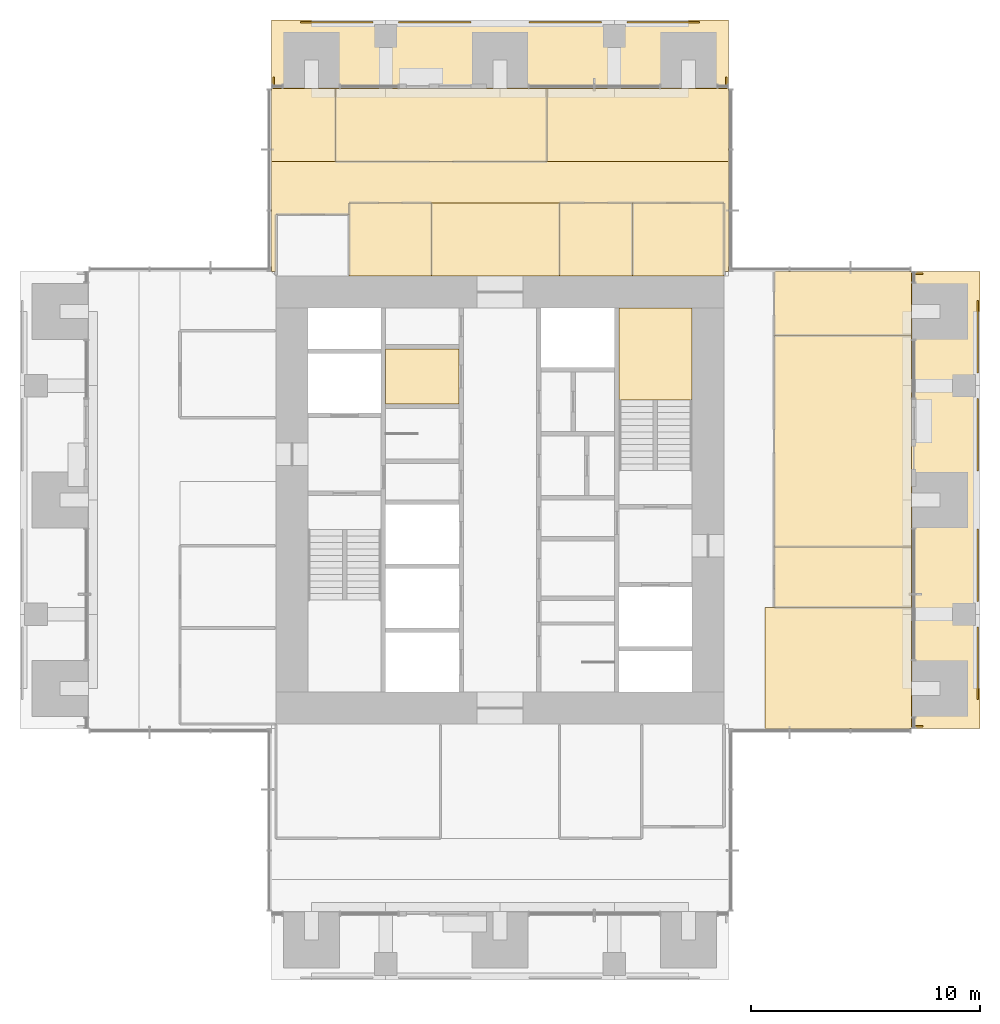
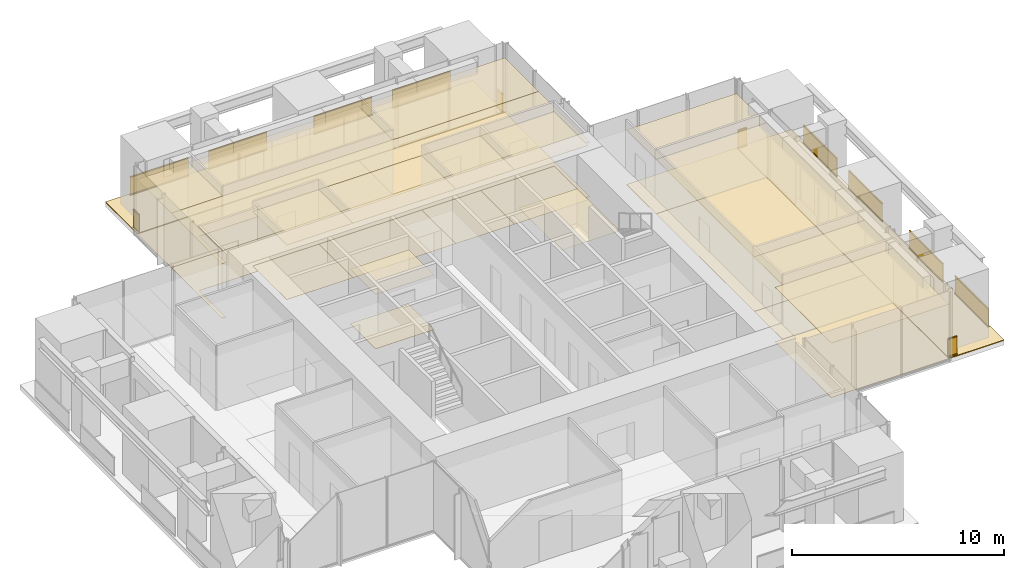
# One storey, part 16 of 17: 29 coverings, 12 railings.
"""IFC4 building model written with IfcOpenShell, lengths in metres."""

from ifc_helpers import new_model, si_unit, direction, frame, origin, origin_2d, place, context, subcontext, project, spatial, polyline, rectangle, outline, extrude, material, layer, layer_set, type_object, element, save


model = new_model("IFC4")

# Units and contexts
model_context = context("Model", 3, precision=1e-05, world=origin(), true_north=direction((0.0, 1.0)))
body_context = subcontext(model_context, "Body", "Model", "MODEL_VIEW")
ifc_project = project(units=[si_unit("LENGTHUNIT", "METRE"), si_unit("AREAUNIT", "SQUARE_METRE"), si_unit("VOLUMEUNIT", "CUBIC_METRE"), si_unit("PLANEANGLEUNIT", "RADIAN"), si_unit("MASSUNIT", "GRAM", prefix="KILO")], contexts=[model_context])

# Site, building, storey
site_placement = place(None, origin())
site = spatial("IfcSite", under=ifc_project, at=site_placement, CompositionType="ELEMENT")
building_placement = place(site_placement, origin())
building = spatial("IfcBuilding", under=site, at=building_placement, Name="Svetlomir Tower", CompositionType="ELEMENT")
storey_placement = place(building_placement, frame((0.0, 0.0, 182.5)))
storey = spatial("IfcBuildingStorey", under=building, at=storey_placement, Name="L43", CompositionType="ELEMENT", Elevation=182.5)

# Railings
ifc_material_1 = material(Name="Bronze anodised aluminium and laminated glass", Category="aluminium")
railing_type = type_object("IfcRailingType", Name="BALCONY GUARD GR1 1100", PredefinedType="GUARDRAIL", material=ifc_material_1)
for number, where, name in (
    (1, (41.89990234375, 12.27490234375, 0.0), "Loggia guard E L43 bay 1"),
    (2, (41.89990234375, 16.550048828125, 0.0), "Loggia guard E L43 bay 2"),
    (3, (41.89990234375, 22.27490234375, 0.0), "Loggia guard E L43 bay 3"),
    (4, (41.89990234375, 26.550048828125, 0.0), "Loggia guard E L43 bay 4"),
):
    element("IfcRailing", number, at=place(storey_placement, frame(where)), inside=storey, type_object=railing_type, Name=name, PredefinedType="GUARDRAIL", context=body_context, shape_type="SweptSolid", body=[
        extrude(rectangle(XDim=0.06005859375, YDim=0.10009765625, at=origin_2d()), frame((0.0, 0.0, 0.050048828125), z_axis=(0.0, 1.0, 0.0), x_axis=(-1.0, 0.0, 0.0)), (0.0, 0.0, 1.0), 3.175048828125),
        extrude(rectangle(XDim=0.021484375, YDim=0.960205078125, at=origin_2d()), frame((0.0, 0.0, 0.580078125), z_axis=(0.0, 1.0, 0.0), x_axis=(-1.0, 0.0, 0.0)), (0.0, 0.0, 1.0), 3.175048828125),
        extrude(rectangle(XDim=0.06005859375, YDim=0.0400390625, at=origin_2d()), frame((0.0, 0.0, 1.080078125), z_axis=(0.0, 1.0, 0.0), x_axis=(-1.0, 0.0, 0.0)), (0.0, 0.0, 1.0), 3.175048828125),
    ])
for number, where, name in (
    (5, (39.5, 11.10009765625, 0.0), "Loggia guard E L43 end 1"),
    (6, (39.5, 30.89990234375, 0.0), "Loggia guard E L43 end 2"),
):
    element("IfcRailing", number, at=place(storey_placement, frame(where)), inside=storey, type_object=railing_type, Name=name, PredefinedType="GUARDRAIL", context=body_context, shape_type="SweptSolid", body=[
        extrude(rectangle(XDim=0.06005859375, YDim=0.10009765625, at=origin_2d()), frame((0.0, 0.0, 0.050048828125), z_axis=(-1.0, 0.0, 0.0), x_axis=(0.0, -1.0, 0.0)), (0.0, 0.0, 1.0), 0.5),
        extrude(rectangle(XDim=0.021484375, YDim=0.960205078125, at=origin_2d()), frame((0.0, 0.0, 0.580078125), z_axis=(-1.0, 0.0, 0.0), x_axis=(0.0, -1.0, 0.0)), (0.0, 0.0, 1.0), 0.5),
        extrude(rectangle(XDim=0.06005859375, YDim=0.0400390625, at=origin_2d()), frame((0.0, 0.0, 1.080078125), z_axis=(-1.0, 0.0, 0.0), x_axis=(0.0, -1.0, 0.0)), (0.0, 0.0, 1.0), 0.5),
    ])
for number, where, name in (
    (7, (12.27490234375, 41.89990234375, 0.0), "Loggia guard N L43 bay 1"),
    (8, (16.550048828125, 41.89990234375, 0.0), "Loggia guard N L43 bay 2"),
    (9, (22.27490234375, 41.89990234375, 0.0), "Loggia guard N L43 bay 3"),
    (10, (26.550048828125, 41.89990234375, 0.0), "Loggia guard N L43 bay 4"),
):
    element("IfcRailing", number, at=place(storey_placement, frame(where)), inside=storey, type_object=railing_type, Name=name, PredefinedType="GUARDRAIL", context=body_context, shape_type="SweptSolid", body=[
        extrude(rectangle(XDim=0.06005859375, YDim=0.10009765625, at=origin_2d()), frame((0.0, 0.0, 0.050048828125), z_axis=(1.0, 0.0, 0.0), x_axis=(0.0, 1.0, 0.0)), (0.0, 0.0, 1.0), 3.175048828125),
        extrude(rectangle(XDim=0.021484375, YDim=0.960205078125, at=origin_2d()), frame((0.0, 0.0, 0.580078125), z_axis=(1.0, 0.0, 0.0), x_axis=(0.0, 1.0, 0.0)), (0.0, 0.0, 1.0), 3.175048828125),
        extrude(rectangle(XDim=0.06005859375, YDim=0.0400390625, at=origin_2d()), frame((0.0, 0.0, 1.080078125), z_axis=(1.0, 0.0, 0.0), x_axis=(0.0, 1.0, 0.0)), (0.0, 0.0, 1.0), 3.175048828125),
    ])
for number, where, name in (
    (11, (11.10009765625, 39.5, 0.0), "Loggia guard N L43 end 1"),
    (12, (30.89990234375, 39.5, 0.0), "Loggia guard N L43 end 2"),
):
    element("IfcRailing", number, at=place(storey_placement, frame(where)), inside=storey, type_object=railing_type, Name=name, PredefinedType="GUARDRAIL", context=body_context, shape_type="SweptSolid", body=[
        extrude(rectangle(XDim=0.06005859375, YDim=0.10009765625, at=origin_2d()), frame((0.0, 0.0, 0.050048828125), z_axis=(0.0, -1.0, 0.0), x_axis=(1.0, 0.0, 0.0)), (0.0, 0.0, 1.0), 0.5),
        extrude(rectangle(XDim=0.021484375, YDim=0.960205078125, at=origin_2d()), frame((0.0, 0.0, 0.580078125), z_axis=(0.0, -1.0, 0.0), x_axis=(1.0, 0.0, 0.0)), (0.0, 0.0, 1.0), 0.5),
        extrude(rectangle(XDim=0.06005859375, YDim=0.0400390625, at=origin_2d()), frame((0.0, 0.0, 1.080078125), z_axis=(0.0, -1.0, 0.0), x_axis=(1.0, 0.0, 0.0)), (0.0, 0.0, 1.0), 0.5),
    ])

# Coverings
ifc_material_2 = material(Name="Granite paving slabs on pedestals", Category="masonry")
ifc_layer_1 = layer(ifc_material_2, 0.0400390625)
ifc_layer_set_1 = layer_set([ifc_layer_1], Name="Granite paving slabs on pedestals")
covering_type_1 = type_object("IfcCoveringType", Name="BALCONY PAVING 40", PredefinedType="USERDEFINED", material=ifc_layer_set_1)
covering_1_placement = place(storey_placement, origin())
element("IfcCovering", 13, at=covering_1_placement, inside=storey, type_object=covering_type_1, Name="Loggia paving E L43", ObjectType="BALCONY PAVING", PredefinedType="USERDEFINED", context=body_context, shape_type="SweptSolid", body=[
    extrude(outline(polyline([(39.0, 11.0), (42.0, 11.0), (42.0, 31.0), (39.0, 31.0), (39.0, 11.0)])), origin(), (0.0, 0.0, 1.0), 0.0400390625),
])
covering_2_placement = place(storey_placement, origin())
element("IfcCovering", 14, at=covering_2_placement, inside=storey, type_object=covering_type_1, Name="Loggia paving N L43", ObjectType="BALCONY PAVING", PredefinedType="USERDEFINED", context=body_context, shape_type="SweptSolid", body=[
    extrude(outline(polyline([(11.0, 39.0), (31.0, 39.0), (31.0, 42.0), (11.0, 42.0), (11.0, 39.0)])), origin(), (0.0, 0.0, 1.0), 0.0400390625),
])
ifc_material_3 = material(Name="Carpet tile", Category="textile")
ifc_layer_2 = layer(ifc_material_3, 0.010009765625)
ifc_layer_set_2 = layer_set([ifc_layer_2], Name="Carpet tile")
covering_type_2 = type_object("IfcCoveringType", Name="CARPET TILE FLOOR 10", PredefinedType="FLOORING", material=ifc_layer_set_2)
covering_3_placement = place(storey_placement, origin())
element("IfcCovering", 15, at=covering_3_placement, inside=storey, type_object=covering_type_2, Name="Floor finish L43-21", PredefinedType="FLOORING", context=body_context, shape_type="SweptSolid", body=[
    extrude(outline(polyline([(33.0, 16.300048828125), (39.0, 16.300048828125), (39.0, 18.949951171875), (33.0, 18.949951171875), (33.0, 16.300048828125)])), origin(), (0.0, 0.0, 1.0), 0.010009765625),
])
covering_4_placement = place(storey_placement, origin())
element("IfcCovering", 16, at=covering_4_placement, inside=storey, type_object=covering_type_2, Name="Floor finish L43-22", PredefinedType="FLOORING", context=body_context, shape_type="SweptSolid", body=[
    extrude(outline(polyline([(33.0, 18.949951171875), (39.0, 18.949951171875), (39.0, 28.199951171875), (33.0, 28.199951171875), (33.0, 18.949951171875)])), origin(), (0.0, 0.0, 1.0), 0.010009765625),
])
covering_5_placement = place(storey_placement, origin())
element("IfcCovering", 17, at=covering_5_placement, inside=storey, type_object=covering_type_2, Name="Floor finish L43-23", PredefinedType="FLOORING", context=body_context, shape_type="SweptSolid", body=[
    extrude(outline(polyline([(33.0, 28.199951171875), (39.0, 28.199951171875), (39.0, 31.0), (33.0, 31.0), (33.0, 28.199951171875)])), origin(), (0.0, 0.0, 1.0), 0.010009765625),
])
covering_6_placement = place(storey_placement, origin())
element("IfcCovering", 18, at=covering_6_placement, inside=storey, type_object=covering_type_2, Name="Floor finish L43-25", PredefinedType="FLOORING", context=body_context, shape_type="SweptSolid", body=[
    extrude(outline(polyline([(14.39990234375, 30.800048828125), (18.0, 30.800048828125), (18.0, 34.0), (14.39990234375, 34.0), (14.39990234375, 30.800048828125)])), origin(), (0.0, 0.0, 1.0), 0.010009765625),
])
covering_7_placement = place(storey_placement, origin())
element("IfcCovering", 19, at=covering_7_placement, inside=storey, type_object=covering_type_2, Name="Floor finish L43-26", PredefinedType="FLOORING", context=body_context, shape_type="SweptSolid", body=[
    extrude(outline(polyline([(23.60009765625, 30.800048828125), (26.800048828125, 30.800048828125), (26.800048828125, 34.0), (23.60009765625, 34.0), (23.60009765625, 30.800048828125)])), origin(), (0.0, 0.0, 1.0), 0.010009765625),
])
covering_8_placement = place(storey_placement, origin())
element("IfcCovering", 20, at=covering_8_placement, inside=storey, type_object=covering_type_2, Name="Floor finish L43-27", PredefinedType="FLOORING", context=body_context, shape_type="SweptSolid", body=[
    extrude(outline(polyline([(26.800048828125, 30.800048828125), (30.800048828125, 30.800048828125), (30.800048828125, 34.0), (26.800048828125, 34.0), (26.800048828125, 30.800048828125)])), origin(), (0.0, 0.0, 1.0), 0.010009765625),
])
covering_9_placement = place(storey_placement, origin())
element("IfcCovering", 21, at=covering_9_placement, inside=storey, type_object=covering_type_2, Name="Floor finish L43-28", PredefinedType="FLOORING", context=body_context, shape_type="SweptSolid", body=[
    extrude(outline(polyline([(13.800048828125, 35.800048828125), (23.050048828125, 35.800048828125), (23.050048828125, 39.0), (13.800048828125, 39.0), (13.800048828125, 35.800048828125)])), origin(), (0.0, 0.0, 1.0), 0.010009765625),
])
covering_10_placement = place(storey_placement, origin())
element("IfcCovering", 22, at=covering_10_placement, inside=storey, type_object=covering_type_2, Name="Floor finish L43-35", PredefinedType="FLOORING", context=body_context, shape_type="SweptSolid", body=[
    extrude(outline(polyline([(30.800048828125, 34.0), (14.39990234375, 34.0), (14.39990234375, 33.5), (11.199951171875, 33.5), (11.199951171875, 31.0), (11.0, 31.0), (11.0, 35.800048828125), (31.0, 35.800048828125), (31.0, 31.0), (30.800048828125, 31.0), (30.800048828125, 34.0)])), origin(), (0.0, 0.0, 1.0), 0.010009765625),
])
covering_11_placement = place(storey_placement, origin())
element("IfcCovering", 23, at=covering_11_placement, inside=storey, type_object=covering_type_2, Name="Floor finish L43-38", PredefinedType="FLOORING", context=body_context, shape_type="SweptSolid", body=[
    extrude(outline(polyline([(32.60009765625, 16.300048828125), (39.0, 16.300048828125), (39.0, 11.0), (32.60009765625, 11.0), (32.60009765625, 16.300048828125)])), origin(), (0.0, 0.0, 1.0), 0.010009765625),
])
covering_12_placement = place(storey_placement, origin())
element("IfcCovering", 24, at=covering_12_placement, inside=storey, type_object=covering_type_2, Name="Floor finish L43-39", PredefinedType="FLOORING", context=body_context, shape_type="SweptSolid", body=[
    extrude(outline(polyline([(18.0, 30.800048828125), (18.0, 34.0), (23.60009765625, 34.0), (23.60009765625, 30.800048828125), (18.0, 30.800048828125)])), origin(), (0.0, 0.0, 1.0), 0.010009765625),
])
covering_13_placement = place(storey_placement, origin())
element("IfcCovering", 25, at=covering_13_placement, inside=storey, type_object=covering_type_2, Name="Floor finish L43-40", PredefinedType="FLOORING", context=body_context, shape_type="SweptSolid", body=[
    extrude(outline(polyline([(13.800048828125, 39.0), (13.800048828125, 35.800048828125), (11.0, 35.800048828125), (11.0, 39.0), (13.800048828125, 39.0)])), origin(), (0.0, 0.0, 1.0), 0.010009765625),
])
covering_14_placement = place(storey_placement, origin())
element("IfcCovering", 26, at=covering_14_placement, inside=storey, type_object=covering_type_2, Name="Floor finish L43-41", PredefinedType="FLOORING", context=body_context, shape_type="SweptSolid", body=[
    extrude(outline(polyline([(31.0, 39.0), (31.0, 35.800048828125), (23.050048828125, 35.800048828125), (23.050048828125, 39.0), (31.0, 39.0)])), origin(), (0.0, 0.0, 1.0), 0.010009765625),
])
ifc_material_4 = material(Name="Ceramic floor tile", Category="ceramic")
ifc_layer_3 = layer(ifc_material_4, 0.014892578125)
ifc_layer_set_3 = layer_set([ifc_layer_3], Name="Ceramic floor tile")
covering_type_3 = type_object("IfcCoveringType", Name="CERAMIC TILE FLOOR 15", PredefinedType="FLOORING", material=ifc_layer_set_3)
covering_15_placement = place(storey_placement, origin())
element("IfcCovering", 27, at=covering_15_placement, inside=storey, type_object=covering_type_3, Name="Floor finish L43-05", PredefinedType="FLOORING", context=body_context, shape_type="SweptSolid", body=[
    extrude(outline(polyline([(16.0, 25.199951171875), (19.199951171875, 25.199951171875), (19.199951171875, 27.60009765625), (16.0, 27.60009765625), (16.0, 25.199951171875)])), origin(), (0.0, 0.0, 1.0), 0.014892578125),
])
ifc_material_5 = material(Name="Moisture resistant plasterboard ceiling", Category="gypsum")
ifc_layer_4 = layer(ifc_material_5, 0.012451171875)
ifc_layer_set_4 = layer_set([ifc_layer_4], Name="Moisture resistant plasterboard ceiling")
covering_type_4 = type_object("IfcCoveringType", Name="MOISTURE RESISTANT CEILING 12.5", PredefinedType="CEILING", material=ifc_layer_set_4)
covering_16_placement = place(storey_placement, frame((0.0, 0.0, 3.137451171875)))
element("IfcCovering", 28, at=covering_16_placement, inside=storey, type_object=covering_type_4, Name="Ceiling L43-05", PredefinedType="CEILING", context=body_context, shape_type="SweptSolid", body=[
    extrude(outline(polyline([(16.0, 25.199951171875), (19.199951171875, 25.199951171875), (19.199951171875, 27.60009765625), (16.0, 27.60009765625), (16.0, 25.199951171875)])), origin(), (0.0, 0.0, 1.0), 0.012451171875),
])
ifc_material_6 = material(Name="Studded rubber floor finish", Category="rubber")
ifc_layer_5 = layer(ifc_material_6, 0.006103515625)
ifc_layer_set_5 = layer_set([ifc_layer_5], Name="Studded rubber floor finish")
covering_type_5 = type_object("IfcCoveringType", Name="RUBBER LANDING FINISH 6", PredefinedType="FLOORING", material=ifc_layer_set_5)
covering_17_placement = place(storey_placement, frame((0.0, 0.0, 2.0)))
element("IfcCovering", 29, at=covering_17_placement, inside=storey, type_object=covering_type_5, Name="Stair S2 landing finish L43", PredefinedType="FLOORING", context=body_context, shape_type="SweptSolid", body=[
    extrude(outline(polyline([(26.199951171875, 25.3798828125), (29.39990234375, 25.3798828125), (29.39990234375, 29.39990234375), (26.199951171875, 29.39990234375), (26.199951171875, 25.3798828125)])), origin(), (0.0, 0.0, 1.0), 0.006103515625),
])
ifc_material_7 = material(Name="Mineral fibre ceiling tile", Category="mineral")
ifc_layer_6 = layer(ifc_material_7, 0.02001953125)
ifc_layer_set_6 = layer_set([ifc_layer_6], Name="Mineral fibre ceiling tile")
covering_type_6 = type_object("IfcCoveringType", Name="SUSPENDED CEILING 20", PredefinedType="CEILING", material=ifc_layer_set_6)
covering_18_placement = place(storey_placement, frame((0.0, 0.0, 3.1298828125)))
element("IfcCovering", 30, at=covering_18_placement, inside=storey, type_object=covering_type_6, Name="Ceiling L43-21", PredefinedType="CEILING", context=body_context, shape_type="SweptSolid", body=[
    extrude(outline(polyline([(33.0, 16.300048828125), (39.0, 16.300048828125), (39.0, 18.949951171875), (33.0, 18.949951171875), (33.0, 16.300048828125)])), origin(), (0.0, 0.0, 1.0), 0.02001953125),
])
covering_19_placement = place(storey_placement, frame((0.0, 0.0, 3.1298828125)))
element("IfcCovering", 31, at=covering_19_placement, inside=storey, type_object=covering_type_6, Name="Ceiling L43-22", PredefinedType="CEILING", context=body_context, shape_type="SweptSolid", body=[
    extrude(outline(polyline([(33.0, 18.949951171875), (39.0, 18.949951171875), (39.0, 28.199951171875), (33.0, 28.199951171875), (33.0, 18.949951171875)])), origin(), (0.0, 0.0, 1.0), 0.02001953125),
])
covering_20_placement = place(storey_placement, frame((0.0, 0.0, 3.1298828125)))
element("IfcCovering", 32, at=covering_20_placement, inside=storey, type_object=covering_type_6, Name="Ceiling L43-23", PredefinedType="CEILING", context=body_context, shape_type="SweptSolid", body=[
    extrude(outline(polyline([(33.0, 28.199951171875), (39.0, 28.199951171875), (39.0, 31.0), (33.0, 31.0), (33.0, 28.199951171875)])), origin(), (0.0, 0.0, 1.0), 0.02001953125),
])
covering_21_placement = place(storey_placement, frame((0.0, 0.0, 3.1298828125)))
element("IfcCovering", 33, at=covering_21_placement, inside=storey, type_object=covering_type_6, Name="Ceiling L43-25", PredefinedType="CEILING", context=body_context, shape_type="SweptSolid", body=[
    extrude(outline(polyline([(14.39990234375, 30.800048828125), (18.0, 30.800048828125), (18.0, 34.0), (14.39990234375, 34.0), (14.39990234375, 30.800048828125)])), origin(), (0.0, 0.0, 1.0), 0.02001953125),
])
covering_22_placement = place(storey_placement, frame((0.0, 0.0, 3.1298828125)))
element("IfcCovering", 34, at=covering_22_placement, inside=storey, type_object=covering_type_6, Name="Ceiling L43-26", PredefinedType="CEILING", context=body_context, shape_type="SweptSolid", body=[
    extrude(outline(polyline([(23.60009765625, 30.800048828125), (26.800048828125, 30.800048828125), (26.800048828125, 34.0), (23.60009765625, 34.0), (23.60009765625, 30.800048828125)])), origin(), (0.0, 0.0, 1.0), 0.02001953125),
])
covering_23_placement = place(storey_placement, frame((0.0, 0.0, 3.1298828125)))
element("IfcCovering", 35, at=covering_23_placement, inside=storey, type_object=covering_type_6, Name="Ceiling L43-27", PredefinedType="CEILING", context=body_context, shape_type="SweptSolid", body=[
    extrude(outline(polyline([(26.800048828125, 30.800048828125), (30.800048828125, 30.800048828125), (30.800048828125, 34.0), (26.800048828125, 34.0), (26.800048828125, 30.800048828125)])), origin(), (0.0, 0.0, 1.0), 0.02001953125),
])
covering_24_placement = place(storey_placement, frame((0.0, 0.0, 3.1298828125)))
element("IfcCovering", 36, at=covering_24_placement, inside=storey, type_object=covering_type_6, Name="Ceiling L43-28", PredefinedType="CEILING", context=body_context, shape_type="SweptSolid", body=[
    extrude(outline(polyline([(13.800048828125, 35.800048828125), (23.050048828125, 35.800048828125), (23.050048828125, 39.0), (13.800048828125, 39.0), (13.800048828125, 35.800048828125)])), origin(), (0.0, 0.0, 1.0), 0.02001953125),
])
covering_25_placement = place(storey_placement, frame((0.0, 0.0, 3.1298828125)))
element("IfcCovering", 37, at=covering_25_placement, inside=storey, type_object=covering_type_6, Name="Ceiling L43-35", PredefinedType="CEILING", context=body_context, shape_type="SweptSolid", body=[
    extrude(outline(polyline([(30.800048828125, 34.0), (14.39990234375, 34.0), (14.39990234375, 33.5), (11.199951171875, 33.5), (11.199951171875, 31.0), (11.0, 31.0), (11.0, 35.800048828125), (31.0, 35.800048828125), (31.0, 31.0), (30.800048828125, 31.0), (30.800048828125, 34.0)])), origin(), (0.0, 0.0, 1.0), 0.02001953125),
])
covering_26_placement = place(storey_placement, frame((0.0, 0.0, 3.1298828125)))
element("IfcCovering", 38, at=covering_26_placement, inside=storey, type_object=covering_type_6, Name="Ceiling L43-38", PredefinedType="CEILING", context=body_context, shape_type="SweptSolid", body=[
    extrude(outline(polyline([(32.60009765625, 16.300048828125), (39.0, 16.300048828125), (39.0, 11.0), (32.60009765625, 11.0), (32.60009765625, 16.300048828125)])), origin(), (0.0, 0.0, 1.0), 0.02001953125),
])
covering_27_placement = place(storey_placement, frame((0.0, 0.0, 3.1298828125)))
element("IfcCovering", 39, at=covering_27_placement, inside=storey, type_object=covering_type_6, Name="Ceiling L43-39", PredefinedType="CEILING", context=body_context, shape_type="SweptSolid", body=[
    extrude(outline(polyline([(18.0, 30.800048828125), (18.0, 34.0), (23.60009765625, 34.0), (23.60009765625, 30.800048828125), (18.0, 30.800048828125)])), origin(), (0.0, 0.0, 1.0), 0.02001953125),
])
covering_28_placement = place(storey_placement, frame((0.0, 0.0, 3.1298828125)))
element("IfcCovering", 40, at=covering_28_placement, inside=storey, type_object=covering_type_6, Name="Ceiling L43-40", PredefinedType="CEILING", context=body_context, shape_type="SweptSolid", body=[
    extrude(outline(polyline([(13.800048828125, 39.0), (13.800048828125, 35.800048828125), (11.0, 35.800048828125), (11.0, 39.0), (13.800048828125, 39.0)])), origin(), (0.0, 0.0, 1.0), 0.02001953125),
])
covering_29_placement = place(storey_placement, frame((0.0, 0.0, 3.1298828125)))
element("IfcCovering", 41, at=covering_29_placement, inside=storey, type_object=covering_type_6, Name="Ceiling L43-41", PredefinedType="CEILING", context=body_context, shape_type="SweptSolid", body=[
    extrude(outline(polyline([(31.0, 39.0), (31.0, 35.800048828125), (23.050048828125, 35.800048828125), (23.050048828125, 39.0), (31.0, 39.0)])), origin(), (0.0, 0.0, 1.0), 0.02001953125),
])

save(model, "model.ifc")
